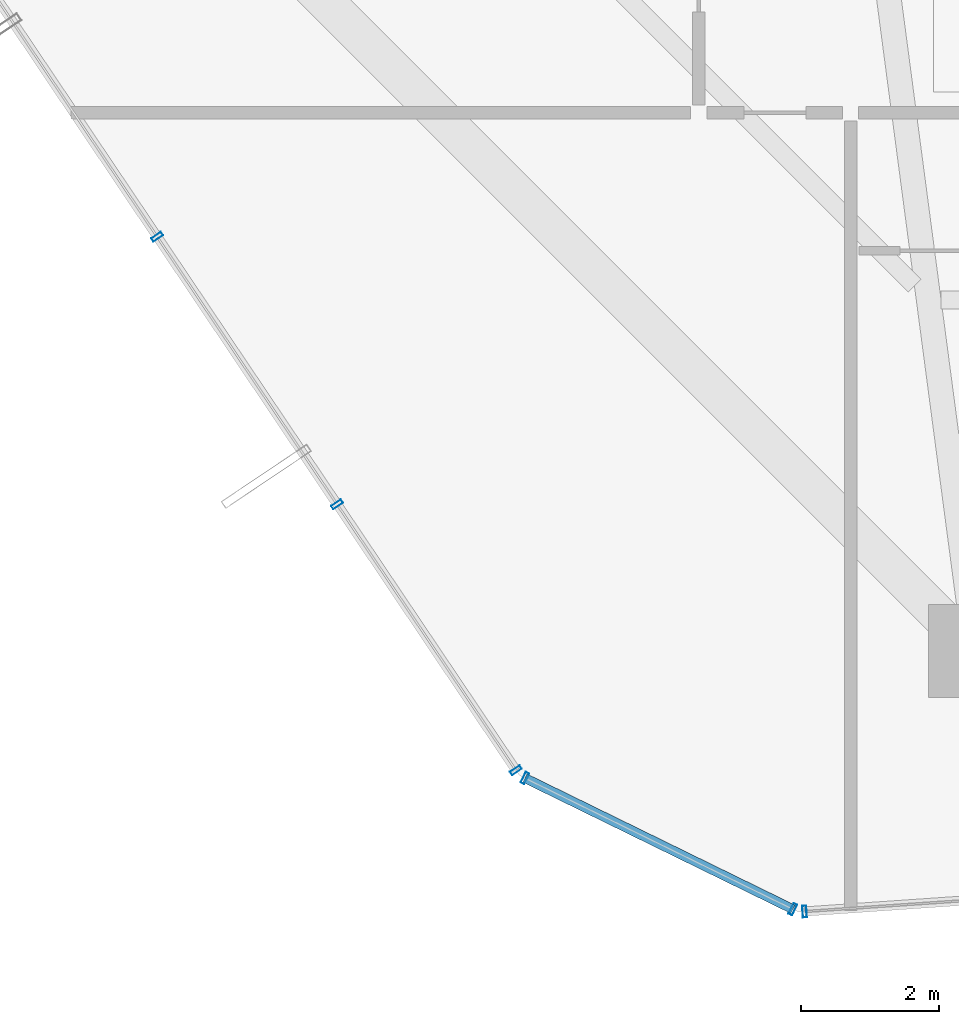
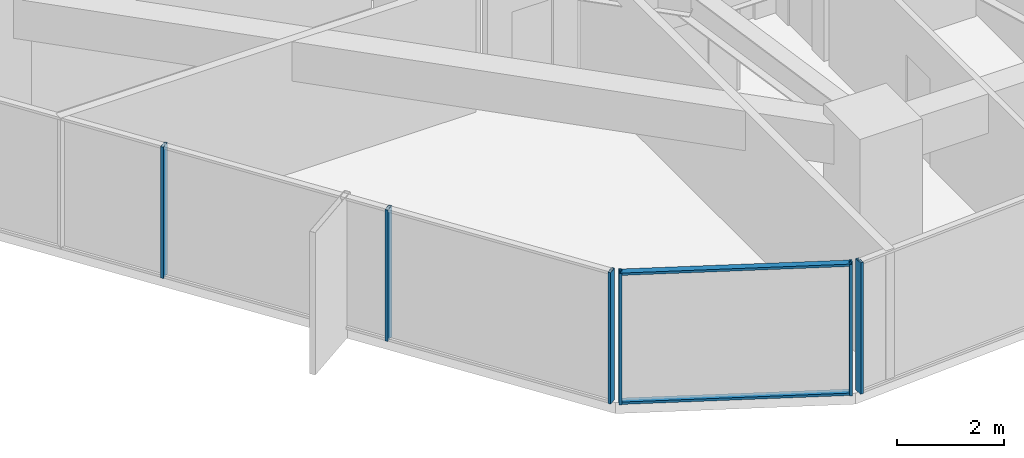
# One storey, part 2 of 37: 8 members, 3 elements without a shape of their own.
"""IFC4 building model written with IfcOpenShell, lengths in metres."""

import ifcopenshell
import ifcopenshell.guid

model = None  # the IFC model being written
_history = None  # IfcOwnerHistory: only IFC2X3 demands one
_inside = {}  # id of a spatial element -> (the spatial element, [elements in it])
_under = {}  # id of a project, library or spatial element -> (it, [spatial elements below it])
_declared = {}  # id of a project -> (the project, [libraries it declares])
_typed = {}  # id of a type object -> (the type object, [elements of that type])
_made_of = {}  # id of a material, layer set ... -> (it, [elements and type objects made of it])


def new_model(schema):
    """Start an empty IFC model of exactly this schema.

    Asked for "IFC4X3", IfcOpenShell would pick the latest addendum, in which some entities
    have other attributes; the version numbers below select the first issue.
    IFC2X3 requires an IfcOwnerHistory on every rooted entity: one is made here for all.
    """
    global model, _history
    if schema == "IFC4X3":
        model = ifcopenshell.file(schema_version=(4, 3, 0, 0))
    else:
        model = ifcopenshell.file(schema=schema)
    _inside.clear()
    _under.clear()
    _declared.clear()
    _typed.clear()
    _made_of.clear()
    _history = None
    if model.schema == "IFC2X3":
        org = make("IfcOrganization", Name="unknown")
        user = make(
            "IfcPersonAndOrganization",
            ThePerson=make("IfcPerson", FamilyName="unknown"),
            TheOrganization=org,
        )
        app = make(
            "IfcApplication",
            ApplicationDeveloper=org,
            Version="unknown",
            ApplicationFullName="unknown",
            ApplicationIdentifier="unknown",
        )
        _history = make(
            "IfcOwnerHistory",
            OwningUser=user,
            OwningApplication=app,
            ChangeAction="ADDED",
            CreationDate=0,
        )
    return model


def make(cls, **values):
    """One entity of the class cls with the attributes given. An attribute that is None is left unset."""
    return model.create_entity(
        cls, **{name: value for name, value in values.items() if value is not None}
    )


def rooted(cls, **values):
    """An entity with a GlobalId (a new one), such as an element, a storey or a relation."""
    return make(cls, GlobalId=ifcopenshell.guid.new(), OwnerHistory=_history, **values)


def si_unit(unit_type, name, prefix=None):
    """IfcSIUnit, for example si_unit("LENGTHUNIT", "METRE", prefix="MILLI")."""
    return make("IfcSIUnit", UnitType=unit_type, Prefix=prefix, Name=name)


def assignment(units):
    """IfcUnitAssignment: the units of a project."""
    return None if units is None else make("IfcUnitAssignment", Units=units)


def point(xyz):
    """IfcCartesianPoint."""
    return None if xyz is None else make("IfcCartesianPoint", Coordinates=xyz)


def direction(xyz):
    """IfcDirection."""
    return None if xyz is None else make("IfcDirection", DirectionRatios=xyz)


def frame(location, z_axis=None, x_axis=None):
    """IfcAxis2Placement3D, a coordinate frame: its origin and axes. An axis left out is left unset."""
    return make(
        "IfcAxis2Placement3D",
        Location=point(location),
        Axis=direction(z_axis),
        RefDirection=direction(x_axis),
    )


def frame_2d(location, x_axis=None):
    """IfcAxis2Placement2D, a coordinate frame in the plane: its origin and x axis."""
    return make(
        "IfcAxis2Placement2D", Location=point(location), RefDirection=direction(x_axis)
    )


def origin():
    """The frame at (0, 0, 0) with its axes left unset."""
    return frame((0.0, 0.0, 0.0))


def origin_2d():
    """The frame at (0, 0) in the plane with its x axis left unset."""
    return frame_2d((0.0, 0.0))


def place(relative_to, where):
    """IfcLocalPlacement: puts the frame where relative to a parent placement (None: the world)."""
    return make(
        "IfcLocalPlacement", PlacementRelTo=relative_to, RelativePlacement=where
    )


def context(
    kind, dimensions, precision=None, world=None, true_north=None, identifier=None
):
    """IfcGeometricRepresentationContext, for example the 3D "Model" context."""
    return make(
        "IfcGeometricRepresentationContext",
        ContextIdentifier=identifier,
        ContextType=kind,
        CoordinateSpaceDimension=dimensions,
        Precision=precision,
        WorldCoordinateSystem=world,
        TrueNorth=true_north,
    )


def subcontext(parent, identifier, kind, view, scale=None):
    """IfcGeometricRepresentationSubContext, for example "Body" below "Model"."""
    return make(
        "IfcGeometricRepresentationSubContext",
        ContextIdentifier=identifier,
        ContextType=kind,
        ParentContext=parent,
        TargetScale=scale,
        TargetView=view,
    )


def project(units=None, contexts=None):
    """IfcProject with its units and contexts."""
    return rooted(
        "IfcProject",
        Name="project",
        RepresentationContexts=contexts,
        UnitsInContext=assignment(units),
    )


def spatial(cls, under=None, at=None, **own):
    """A site, building, storey or space (cls), placed at a placement, below another one or the project."""
    s = rooted(cls, ObjectPlacement=at, **own)
    if under is not None:
        _under.setdefault(under.id(), (under, []))[1].append(s)
    return s


def profile(cls, at=None, kind="AREA", **sizes):
    """A parametric profile (cls). Its sizes go by their IFC names, for example OverallWidth=200.0."""
    return make(cls, ProfileType=kind, Position=at, **sizes)


def hollow_rectangle(**sizes):
    """IfcRectangleHollowProfileDef."""
    return profile("IfcRectangleHollowProfileDef", **sizes)


def extrude(swept, where, along, depth):
    """IfcExtrudedAreaSolid: the profile swept, set in the frame where, extruded along a direction by depth."""
    return make(
        "IfcExtrudedAreaSolid",
        SweptArea=swept,
        Position=where,
        ExtrudedDirection=direction(along),
        Depth=depth,
    )


def shape(context_of_items, identifier, shape_type, items):
    """IfcShapeRepresentation: the items that make up one representation, for example the "Body"."""
    return make(
        "IfcShapeRepresentation",
        ContextOfItems=context_of_items,
        RepresentationIdentifier=identifier,
        RepresentationType=shape_type,
        Items=items,
    )


def source(mapping_origin, context_of_items, identifier, shape_type, items):
    """IfcRepresentationMap: a shape defined once, which mapped items show again and again."""
    return make(
        "IfcRepresentationMap",
        MappingOrigin=mapping_origin,
        MappedRepresentation=shape(context_of_items, identifier, shape_type, items),
    )


def transform(
    local_origin,
    x_axis=None,
    y_axis=None,
    z_axis=None,
    scale=None,
    scale2=None,
    scale3=None,
    uniform=True,
):
    """IfcCartesianTransformationOperator3D, or its non-uniform kind. x_axis, y_axis, z_axis: its Axis1, 2, 3."""
    if uniform:
        return make(
            "IfcCartesianTransformationOperator3D",
            Axis1=direction(x_axis),
            Axis2=direction(y_axis),
            LocalOrigin=point(local_origin),
            Scale=scale,
            Axis3=direction(z_axis),
        )
    return make(
        "IfcCartesianTransformationOperator3DnonUniform",
        Axis1=direction(x_axis),
        Axis2=direction(y_axis),
        LocalOrigin=point(local_origin),
        Scale=scale,
        Axis3=direction(z_axis),
        Scale2=scale2,
        Scale3=scale3,
    )


def mapped(mapping_source, mapping_target):
    """IfcMappedItem: shows the shape of a source again, moved by a transform."""
    return make(
        "IfcMappedItem", MappingSource=mapping_source, MappingTarget=mapping_target
    )


def material(Name=None, Category=None):
    """IfcMaterial."""
    return make("IfcMaterial", Name=Name, Category=Category)


def layer(
    of_material, thickness, ventilated=None, Name=None, Category=None, Priority=None
):
    """IfcMaterialLayer: one layer of a wall or slab, of a material (None: an air gap)."""
    return make(
        "IfcMaterialLayer",
        Material=of_material,
        LayerThickness=thickness,
        IsVentilated=ventilated,
        Name=Name,
        Category=Category,
        Priority=Priority,
    )


def layer_set(layers, Name=None):
    """IfcMaterialLayerSet."""
    return make("IfcMaterialLayerSet", MaterialLayers=layers, LayerSetName=Name)


def material_profile(
    of_material, cross_section, Name=None, Category=None, Priority=None
):
    """IfcMaterialProfile: a cross section and its material."""
    return make(
        "IfcMaterialProfile",
        Name=Name,
        Material=of_material,
        Profile=cross_section,
        Priority=Priority,
        Category=Category,
    )


def profile_set(profiles, Name=None, composite=None):
    """IfcMaterialProfileSet."""
    return make(
        "IfcMaterialProfileSet",
        Name=Name,
        MaterialProfiles=profiles,
        CompositeProfile=composite,
    )


def made_of(thing, what):
    """Note that an element or type object is made of a material, layer set ...; save() writes the relation."""
    if what is not None:
        _made_of.setdefault(what.id(), (what, []))[1].append(thing)
    return thing


def type_object(cls, material=None, **own):
    """A type object (cls), such as IfcWallType, which elements share."""
    return made_of(rooted(cls, **own), material)


def element(
    cls,
    number,
    at=None,
    inside=None,
    cuts=None,
    type_object=None,
    material=None,
    context=None,
    identifier="Body",
    shape_type=None,
    held_by="IfcProductDefinitionShape",
    body=None,
    shapes=None,
    **own,
):
    """One element of the class cls, such as IfcWall. Its Tag is "e" and its number.

    at: its placement. inside: the storey or other place that contains it. cuts: it is an
    opening in that element (IfcRelVoidsElement). A single representation is given by context,
    identifier, shape_type and body (its items); several are given by shapes. held_by: the class
    of the entity that holds the representations. save() writes the other relations.
    """
    e = rooted(cls, Tag="e%d" % number, ObjectPlacement=at, **own)
    if body is not None:
        shapes = [shape(context, identifier, shape_type, body)]
    if shapes is not None:
        e.Representation = make(held_by, Representations=shapes)
    if inside is not None:
        _inside.setdefault(inside.id(), (inside, []))[1].append(e)
    if cuts is not None:
        rooted(
            "IfcRelVoidsElement", RelatingBuildingElement=cuts, RelatedOpeningElement=e
        )
    if type_object is not None:
        _typed.setdefault(type_object.id(), (type_object, []))[1].append(e)
    return made_of(e, material)


def aggregate(whole, parts):
    """IfcRelAggregates: a whole, such as a stair, and the parts it consists of."""
    return rooted("IfcRelAggregates", RelatingObject=whole, RelatedObjects=parts)


def save(model, path):
    """Write the relations noted so far, then the file.

    IfcRelAggregates (storeys below a building ...), IfcRelContainedInSpatialStructure (elements
    in a storey), IfcRelDefinesByType, IfcRelAssociatesMaterial and IfcRelDeclares: one each for
    every whole, place, type object, material and project.
    """
    for whole, parts in _under.values():
        aggregate(whole, parts)
    for where, things in _inside.values():
        rooted(
            "IfcRelContainedInSpatialStructure",
            RelatedElements=things,
            RelatingStructure=where,
        )
    for kind, things in _typed.values():
        rooted("IfcRelDefinesByType", RelatedObjects=things, RelatingType=kind)
    for what, things in _made_of.values():
        rooted("IfcRelAssociatesMaterial", RelatedObjects=things, RelatingMaterial=what)
    for by, libraries in _declared.values():
        rooted("IfcRelDeclares", RelatingContext=by, RelatedDefinitions=libraries)
    model.write(path)


model = new_model("IFC4")

# Units and contexts
model_context = context("Model", 3, precision=1e-05, world=origin(), true_north=direction((0.0, 1.0)))
body_context = subcontext(model_context, "Body", "Model", "MODEL_VIEW")
ifc_project = project(units=[si_unit("LENGTHUNIT", "METRE"), si_unit("AREAUNIT", "SQUARE_METRE"), si_unit("VOLUMEUNIT", "CUBIC_METRE"), si_unit("PLANEANGLEUNIT", "RADIAN"), si_unit("MASSUNIT", "GRAM", prefix="KILO")], contexts=[model_context])

# Site, building, storey
site_placement = place(None, origin())
site = spatial("IfcSite", under=ifc_project, at=site_placement, CompositionType="ELEMENT")
building_placement = place(site_placement, origin())
building = spatial("IfcBuilding", under=site, at=building_placement, Name="Veraguas Prism Commons", CompositionType="ELEMENT")
storey_placement = place(building_placement, frame((0.0, 0.0, 37.050048828125)))
storey = spatial("IfcBuildingStorey", under=building, at=storey_placement, Name="L09", CompositionType="ELEMENT", Elevation=37.050048828125)

# Curtain wall, members
ifc_material = material(Name="Anodised aluminium EN AW-6063 T6", Category="aluminium")
ifc_layer = layer(ifc_material, 0.169921875, Name="Unitised Flush Curtain Wall Zone 1", Category="aluminium")
ifc_layer_set = layer_set([ifc_layer], Name="Anodised aluminium EN AW-6063 T6")
curtain_wall_type = type_object("IfcCurtainWallType", Name="Unitised Flush Curtain Wall Zone 1", PredefinedType="NOTDEFINED", material=ifc_layer_set)
curtain_wall_1_placement = place(storey_placement, origin())
curtain_wall_1 = element("IfcCurtainWall", 1, at=curtain_wall_1_placement, inside=storey, type_object=curtain_wall_type, Name="Tower Facade Curtain Wall L09-F4", PredefinedType="NOTDEFINED")
ifc_material_profile_1 = material_profile(ifc_material, hollow_rectangle(XDim=0.06005859375, YDim=0.169921875, WallThickness=0.00390625, at=origin_2d()), Name="AL60X170X4")
ifc_profile_set_1 = profile_set([ifc_material_profile_1], Name="Anodised aluminium EN AW-6063 T6")
member_type_1 = type_object("IfcMemberType", Name="Curtain Wall Mullion Lower AL 60x170x4", PredefinedType="MULLION", material=ifc_profile_set_1)
shared_shape_1 = source(origin(), body_context, "Body", "SweptSolid", [
    extrude(hollow_rectangle(XDim=0.06005859375, YDim=0.169921875, WallThickness=0.00390625, at=origin_2d()), origin(), (0.0, 0.0, 1.0), 3.0),
])
member_1_placement = place(storey_placement, frame((6.752685546875, 12.4013671875, 0.0), z_axis=(0.0, 0.0, 1.0), x_axis=(0.558034803938, -0.829817544761, 0.0)))
member_1 = element("IfcMember", 2, at=member_1_placement, type_object=member_type_1, Name="CW-Z1 Mullion 3", PredefinedType="MULLION", context=body_context, shape_type="MappedRepresentation", body=[
    mapped(shared_shape_1, transform((0.0, 0.0, 0.0), scale=1.0)),
])
member_2_placement = place(storey_placement, frame((9.359130859375, 8.525390625, 0.0), z_axis=(0.0, 0.0, 1.0), x_axis=(0.558034803938, -0.829817544761, 0.0)))
member_2 = element("IfcMember", 3, at=member_2_placement, type_object=member_type_1, Name="CW-Z1 Mullion 4", PredefinedType="MULLION", context=body_context, shape_type="MappedRepresentation", body=[
    mapped(shared_shape_1, transform((0.0, 0.0, 0.0), scale=1.0)),
])
member_3_placement = place(storey_placement, frame((11.948974609375, 4.67431640625, 0.0), z_axis=(0.0, 0.0, 1.0), x_axis=(0.558034803938, -0.829817544761, 0.0)))
member_3 = element("IfcMember", 4, at=member_3_placement, type_object=member_type_1, Name="CW-Z1 Mullion 5", PredefinedType="MULLION", context=body_context, shape_type="MappedRepresentation", body=[
    mapped(shared_shape_1, transform((0.0, 0.0, 0.0), scale=1.0)),
])
aggregate(curtain_wall_1, [member_1, member_2, member_3])

# Curtain wall, member
curtain_wall_2_placement = place(storey_placement, origin())
curtain_wall_2 = element("IfcCurtainWall", 5, at=curtain_wall_2_placement, inside=storey, type_object=curtain_wall_type, Name="Tower Facade Curtain Wall L09-F5", PredefinedType="NOTDEFINED")
member_4_placement = place(storey_placement, frame((16.130859375, 2.62744140625, 0.0), z_axis=(0.0, 0.0, 1.0), x_axis=(0.997660476238, 0.068363544026, 0.0)))
member_4 = element("IfcMember", 6, at=member_4_placement, type_object=member_type_1, Name="CW-Z1 Mullion 1", PredefinedType="MULLION", context=body_context, shape_type="MappedRepresentation", body=[
    mapped(shared_shape_1, transform((0.0, 0.0, 0.0), scale=1.0)),
])
aggregate(curtain_wall_2, [member_4])

# Curtain wall, members
curtain_wall_3_placement = place(storey_placement, origin())
curtain_wall_3 = element("IfcCurtainWall", 7, at=curtain_wall_3_placement, inside=storey, type_object=curtain_wall_type, Name="Chamfer Curtain Wall L09-C5", PredefinedType="NOTDEFINED")
member_5_placement = place(storey_placement, frame((12.080078125, 4.56005859375, 0.0), z_axis=(0.0, 0.0, 1.0), x_axis=(0.898184925211, -0.439617834175, 0.0)))
member_5 = element("IfcMember", 8, at=member_5_placement, type_object=member_type_1, Name="CW-Z1 Mullion 1", PredefinedType="MULLION", context=body_context, shape_type="MappedRepresentation", body=[
    mapped(shared_shape_1, transform((0.0, 0.0, 0.0), scale=1.0)),
])
member_6_placement = place(storey_placement, frame((15.960205078125, 2.660888671875, 0.0), z_axis=(0.0, 0.0, 1.0), x_axis=(0.898184925211, -0.439617834175, 0.0)))
member_6 = element("IfcMember", 9, at=member_6_placement, type_object=member_type_1, Name="CW-Z1 Mullion 2", PredefinedType="MULLION", context=body_context, shape_type="MappedRepresentation", body=[
    mapped(shared_shape_1, transform((0.0, 0.0, 0.0), scale=1.0)),
])
ifc_material_profile_2 = material_profile(ifc_material, hollow_rectangle(XDim=0.054931640625, YDim=0.135009765625, WallThickness=0.0029296875, at=origin_2d()), Name="AL55X135X3")
ifc_profile_set_2 = profile_set([ifc_material_profile_2], Name="Anodised aluminium EN AW-6063 T6")
member_type_2 = type_object("IfcMemberType", Name="Curtain Wall Transom Standard AL 55x135x3", PredefinedType="USERDEFINED", material=ifc_profile_set_2)
shared_shape_2 = source(origin(), body_context, "Body", "SweptSolid", [
    extrude(hollow_rectangle(XDim=0.054931640625, YDim=0.135009765625, WallThickness=0.0029296875, at=origin_2d()), origin(), (0.0, 0.0, 1.0), 4.320068359375),
])
member_7_placement = place(storey_placement, frame((12.080078125, 4.56005859375, 0.02734375), z_axis=(0.898181588675, -0.439624650998, 0.0), x_axis=(0.0, 0.0, 1.0)))
member_7 = element("IfcMember", 10, at=member_7_placement, type_object=member_type_2, Name="CW-Z1 Transom 1", ObjectType="TRANSOM", PredefinedType="USERDEFINED", context=body_context, shape_type="MappedRepresentation", body=[
    mapped(shared_shape_2, transform((0.0, 0.0, 0.0), scale=1.0)),
])
member_8_placement = place(storey_placement, frame((12.080078125, 4.56005859375, 2.972412109375), z_axis=(0.898181588675, -0.439624650998, 0.0), x_axis=(0.0, 0.0, 1.0)))
member_8 = element("IfcMember", 11, at=member_8_placement, type_object=member_type_2, Name="CW-Z1 Transom 2", ObjectType="TRANSOM", PredefinedType="USERDEFINED", context=body_context, shape_type="MappedRepresentation", body=[
    mapped(shared_shape_2, transform((0.0, 0.0, 0.0), scale=1.0)),
])
aggregate(curtain_wall_3, [member_5, member_6, member_7, member_8])

save(model, "model.ifc")
